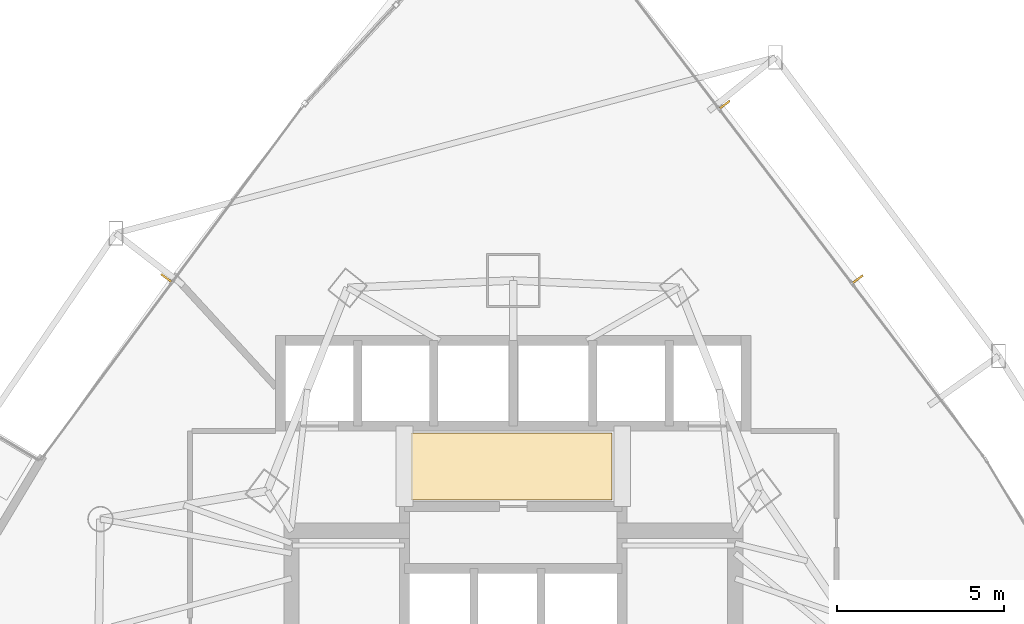
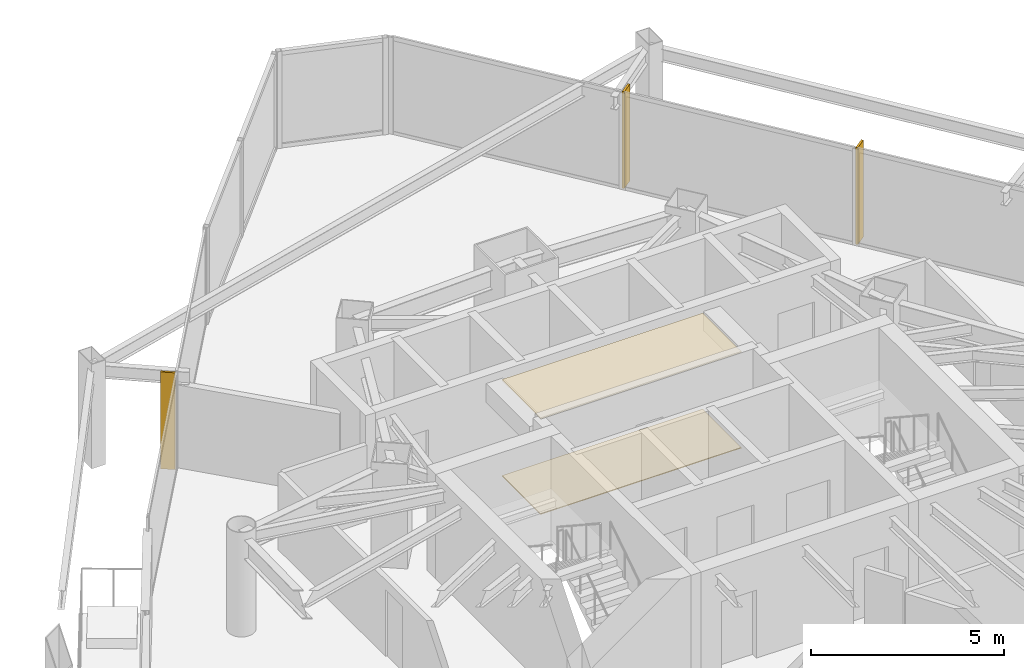
# One storey, part 35 of 35: 3 shading devices, 2 coverings.
"""IFC4 building model written with IfcOpenShell, lengths in metres."""

from ifc_helpers import new_model, si_unit, direction, frame, origin, origin_2d, place, context, subcontext, project, spatial, polyline, rectangle, outline, extrude, material, layer, layer_set, type_object, element, save


model = new_model("IFC4")

# Units and contexts
model_context = context("Model", 3, precision=1e-05, world=origin(), true_north=direction((0.0, 1.0)))
body_context = subcontext(model_context, "Body", "Model", "MODEL_VIEW")
ifc_project = project(units=[si_unit("LENGTHUNIT", "METRE"), si_unit("AREAUNIT", "SQUARE_METRE"), si_unit("VOLUMEUNIT", "CUBIC_METRE"), si_unit("PLANEANGLEUNIT", "RADIAN"), si_unit("MASSUNIT", "GRAM", prefix="KILO")], contexts=[model_context])

# Site, building, storey
site_placement = place(None, origin())
site = spatial("IfcSite", under=ifc_project, at=site_placement, CompositionType="ELEMENT")
building_placement = place(site_placement, origin())
building = spatial("IfcBuilding", under=site, at=building_placement, Name="Orvanel Arch Residences", CompositionType="ELEMENT")
storey_placement = place(building_placement, frame((0.0, 0.0, 26.89990234375)))
storey = spatial("IfcBuildingStorey", under=building, at=storey_placement, Name="L06", CompositionType="ELEMENT", Elevation=26.89990234375)

# Coverings
ifc_material_1 = material(Name="Perforated acoustic mineral-fibre ceiling tile", Category="gypsum")
ifc_layer_1 = layer(ifc_material_1, 0.034912109375)
ifc_layer_set_1 = layer_set([ifc_layer_1], Name="Perforated acoustic mineral-fibre ceiling tile")
covering_type_1 = type_object("IfcCoveringType", Name="COV-CLG-ACS35", PredefinedType="CEILING", material=ifc_layer_set_1)
covering_1_placement = place(storey_placement, frame((0.0, 0.0, 3.025146484375)))
element("IfcCovering", 1, at=covering_1_placement, inside=storey, type_object=covering_type_1, Name="L06 Lift Lobby Acoustic Ceiling", PredefinedType="CEILING", context=body_context, shape_type="SweptSolid", body=[
    extrude(outline(polyline([(29.949951171875, 34.85009765625), (35.949951171875, 34.85009765625), (35.949951171875, 36.85009765625), (29.949951171875, 36.85009765625), (29.949951171875, 34.85009765625)])), origin(), (0.0, 0.0, 1.0), 0.034912109375),
])
ifc_material_2 = material(Name="Honed cementitious terrazzo floor finish", Category="concrete")
ifc_layer_2 = layer(ifc_material_2, 0.02490234375)
ifc_layer_set_2 = layer_set([ifc_layer_2], Name="Honed cementitious terrazzo floor finish")
covering_type_2 = type_object("IfcCoveringType", Name="COV-FLR-TRZ25", PredefinedType="FLOORING", material=ifc_layer_set_2)
covering_2_placement = place(storey_placement, origin())
element("IfcCovering", 2, at=covering_2_placement, inside=storey, type_object=covering_type_2, Name="L06 Lift Lobby Terrazzo Flooring", PredefinedType="FLOORING", context=body_context, shape_type="SweptSolid", body=[
    extrude(outline(polyline([(29.949951171875, 34.85009765625), (35.949951171875, 34.85009765625), (35.949951171875, 36.85009765625), (29.949951171875, 36.85009765625), (29.949951171875, 34.85009765625)])), origin(), (0.0, 0.0, 1.0), 0.025146484375),
])

# Shading devices
ifc_material_3 = material(Name="Bronze-anodised aluminium AA6063-T6", Category="aluminium")
ifc_layer_3 = layer(ifc_material_3, 0.06005859375)
ifc_layer_set_3 = layer_set([ifc_layer_3], Name="Bronze-anodised aluminium AA6063-T6")
shading_device_type = type_object("IfcShadingDeviceType", Name="FIN-BRZ-380", PredefinedType="USERDEFINED", material=ifc_layer_set_3)
for number, where, z_axis, x_axis, name in (
    (3, (22.635009765625, 41.47412109375, 0.0), (0.0, 0.0, 1.0), (-0.803856860617, 0.594822786751, 0.0), "L06 Anodised Bronze Mullion FIN 01"),
    (4, (43.283935546875, 41.43701171875, 0.0), (0.0, 0.0, 1.0), (0.795473480855, 0.605988400266, 0.0), "L06 Anodised Bronze Mullion FIN 01"),
    (5, (39.31396484375, 46.64990234375, 0.0), (0.0, 0.0, 1.0), (0.795473480855, 0.605988400266, 0.0), "L06 Anodised Bronze Mullion FIN 02"),
):
    element("IfcShadingDevice", number, at=place(storey_placement, frame(where, z_axis=z_axis, x_axis=x_axis)), inside=storey, type_object=shading_device_type, Name=name, ObjectType="FIN", PredefinedType="USERDEFINED", context=body_context, shape_type="SweptSolid", body=[
        extrude(rectangle(XDim=0.3798828125, YDim=0.06005859375, at=origin_2d()), origin(), (0.0, 0.0, 1.0), 3.06005859375),
    ])

save(model, "model.ifc")
